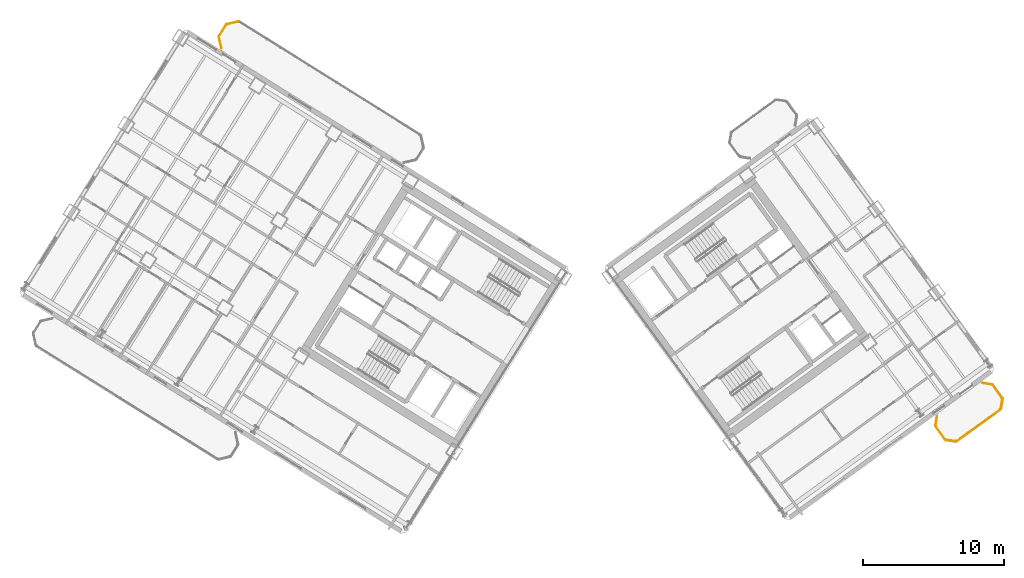
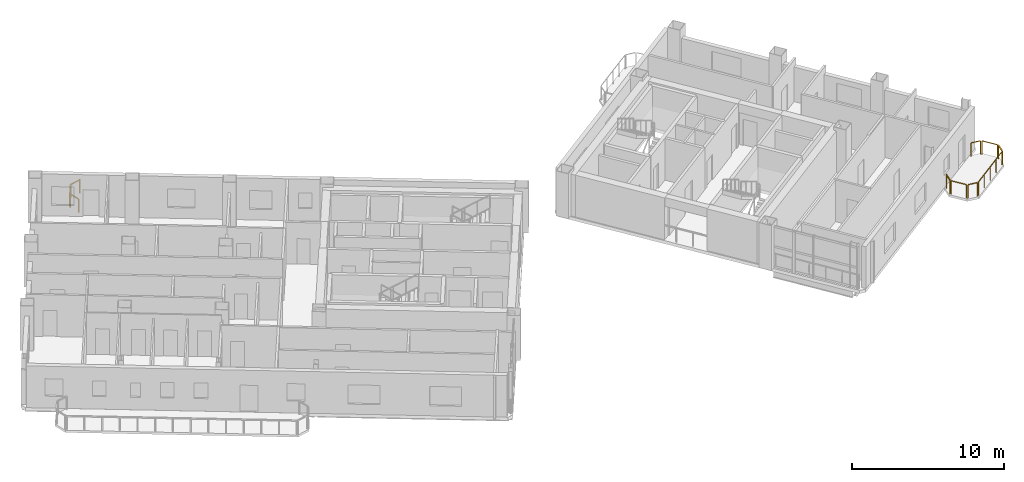
# One storey, part 18 of 18: 10 railings.
"""IFC4 building model written with IfcOpenShell, lengths in metres."""

from ifc_helpers import new_model, si_unit, direction, frame, origin, origin_2d, place, context, subcontext, project, spatial, rectangle, extrude, source, transform, mapped, material, type_object, element, save


model = new_model("IFC4")

# Units and contexts
model_context = context("Model", 3, precision=1e-05, world=origin(), true_north=direction((0.0, 1.0)))
body_context = subcontext(model_context, "Body", "Model", "MODEL_VIEW")
ifc_project = project(units=[si_unit("LENGTHUNIT", "METRE"), si_unit("AREAUNIT", "SQUARE_METRE"), si_unit("VOLUMEUNIT", "CUBIC_METRE"), si_unit("PLANEANGLEUNIT", "RADIAN"), si_unit("MASSUNIT", "GRAM", prefix="KILO")], contexts=[model_context])

# Site, building, storey
site_placement = place(None, origin())
site = spatial("IfcSite", under=ifc_project, at=site_placement, CompositionType="ELEMENT")
building_placement = place(site_placement, origin())
building = spatial("IfcBuilding", under=site, at=building_placement, Name="Tlacorven Tower", CompositionType="ELEMENT")
storey_placement = place(building_placement, frame((0.0, 0.0, 140.699951171875)))
storey = spatial("IfcBuildingStorey", under=building, at=storey_placement, Name="L35", CompositionType="ELEMENT", Elevation=140.699951171875)

# Railings
ifc_material = material(Name="Aluminium and painted steel balustrade", Category="steel")
railing_type = type_object("IfcRailingType", Name="RL-BAL-1100", PredefinedType="BALUSTRADE", material=ifc_material)
shared_shape_1 = source(origin(), body_context, "Body", "SweptSolid", [
    extrude(rectangle(XDim=0.048095703125, YDim=0.048095703125, at=origin_2d()), frame((0.0, 0.0, 1.076171875), z_axis=(-0.225058334816, 0.974345290916, 0.0), x_axis=(-0.974345290916, -0.225058334816, 0.0)), (0.0, 0.0, 1.0), 0.80712890625),
    extrude(rectangle(XDim=0.0419921875, YDim=0.0419921875, at=origin_2d()), origin(), (0.0, 0.0, 1.0), 1.052001953125),
    extrude(rectangle(XDim=0.0419921875, YDim=0.0419921875, at=origin_2d()), frame((-0.181640625, 0.786376953125, 0.0)), (0.0, 0.0, 1.0), 1.052001953125),
])
railing_1_placement = place(storey_placement, frame((16.5361328125, 40.68115234375, 0.0)))
element("IfcRailing", 1, at=railing_1_placement, inside=storey, type_object=railing_type, Name="BAL-L35-W-IN Guard Railing 4", PredefinedType="BALUSTRADE", context=body_context, shape_type="MappedRepresentation", body=[
    mapped(shared_shape_1, transform((0.0, 0.0, 0.0), scale=1.0)),
])
shared_shape_2 = source(origin(), body_context, "Body", "SweptSolid", [
    extrude(rectangle(XDim=0.048095703125, YDim=0.048095703125, at=origin_2d()), frame((0.0, 0.0, 1.076171875), z_axis=(0.52987865805, 0.848073468364, 0.0), x_axis=(-0.848073468364, 0.52987865805, 0.0)), (0.0, 0.0, 1.0), 0.912353515625),
    extrude(rectangle(XDim=0.0419921875, YDim=0.0419921875, at=origin_2d()), origin(), (0.0, 0.0, 1.0), 1.052001953125),
    extrude(rectangle(XDim=0.0419921875, YDim=0.0419921875, at=origin_2d()), frame((0.4833984375, 0.773681640625, 0.0)), (0.0, 0.0, 1.0), 1.052001953125),
])
railing_2_placement = place(storey_placement, frame((16.369873046875, 41.55859375, 0.0)))
element("IfcRailing", 2, at=railing_2_placement, inside=storey, type_object=railing_type, Name="BAL-L35-W-IN Guard Railing 5", PredefinedType="BALUSTRADE", context=body_context, shape_type="MappedRepresentation", body=[
    mapped(shared_shape_2, transform((0.0, 0.0, 0.0), scale=1.0)),
])
shared_shape_3 = source(origin(), body_context, "Body", "SweptSolid", [
    extrude(rectangle(XDim=0.048095703125, YDim=0.048095703125, at=origin_2d()), frame((0.0, 0.0, 1.076171875), z_axis=(0.974411586182, 0.224771129628, 0.0), x_axis=(-0.224771129628, 0.974411586182, 0.0)), (0.0, 0.0, 1.0), 0.80712890625),
    extrude(rectangle(XDim=0.0419921875, YDim=0.0419921875, at=origin_2d()), origin(), (0.0, 0.0, 1.0), 1.052001953125),
    extrude(rectangle(XDim=0.0419921875, YDim=0.0419921875, at=origin_2d()), frame((0.786376953125, 0.181396484375, 0.0)), (0.0, 0.0, 1.0), 1.052001953125),
])
railing_3_placement = place(storey_placement, frame((16.928466796875, 42.385986328125, 0.0)))
element("IfcRailing", 3, at=railing_3_placement, inside=storey, type_object=railing_type, Name="BAL-L35-W-IN Guard Railing 6", PredefinedType="BALUSTRADE", context=body_context, shape_type="MappedRepresentation", body=[
    mapped(shared_shape_3, transform((0.0, 0.0, 0.0), scale=1.0)),
])
shared_shape_4 = source(origin(), body_context, "Body", "SweptSolid", [
    extrude(rectangle(XDim=0.048095703125, YDim=0.048095703125, at=origin_2d()), frame((0.0, 0.0, 1.076171875), z_axis=(-0.987661653326, 0.156602868908, 0.0), x_axis=(-0.156602868908, -0.987661653326, 0.0)), (0.0, 0.0, 1.0), 0.665771484375),
    extrude(rectangle(XDim=0.0419921875, YDim=0.0419921875, at=origin_2d()), origin(), (0.0, 0.0, 1.0), 1.052001953125),
    extrude(rectangle(XDim=0.0419921875, YDim=0.0419921875, at=origin_2d()), frame((-0.657470703125, 0.104248046875, 0.0)), (0.0, 0.0, 1.0), 1.052001953125),
])
railing_4_placement = place(storey_placement, frame((68.59521484375, 12.7919921875, 0.0)))
element("IfcRailing", 4, at=railing_4_placement, inside=storey, type_object=railing_type, Name="BAL-L35-E-OUT Guard Railing 1", PredefinedType="BALUSTRADE", context=body_context, shape_type="MappedRepresentation", body=[
    mapped(shared_shape_4, transform((0.0, 0.0, 0.0), scale=1.0)),
])
shared_shape_5 = source(origin(), body_context, "Body", "SweptSolid", [
    extrude(rectangle(XDim=0.048095703125, YDim=0.048095703125, at=origin_2d()), frame((0.0, 0.0, 1.076171875), z_axis=(-0.58788449985, 0.808944877501, 0.0), x_axis=(-0.808944877501, -0.58788449985, 0.0)), (0.0, 0.0, 1.0), 1.112060546875),
    extrude(rectangle(XDim=0.0419921875, YDim=0.0419921875, at=origin_2d()), origin(), (0.0, 0.0, 1.0), 1.052001953125),
    extrude(rectangle(XDim=0.0419921875, YDim=0.0419921875, at=origin_2d()), frame((-0.65380859375, 0.899658203125, 0.0)), (0.0, 0.0, 1.0), 1.052001953125),
])
railing_5_placement = place(storey_placement, frame((67.85888671875, 12.944580078125, 0.0)))
element("IfcRailing", 5, at=railing_5_placement, inside=storey, type_object=railing_type, Name="BAL-L35-E-OUT Guard Railing 2", PredefinedType="BALUSTRADE", context=body_context, shape_type="MappedRepresentation", body=[
    mapped(shared_shape_5, transform((0.0, 0.0, 0.0), scale=1.0)),
])
shared_shape_6 = source(origin(), body_context, "Body", "SweptSolid", [
    extrude(rectangle(XDim=0.048095703125, YDim=0.048095703125, at=origin_2d()), frame((0.0, 0.0, 1.076171875), z_axis=(0.156602868908, 0.987661653326, 0.0), x_axis=(-0.987661653326, 0.156602868908, 0.0)), (0.0, 0.0, 1.0), 0.665771484375),
    extrude(rectangle(XDim=0.0419921875, YDim=0.0419921875, at=origin_2d()), origin(), (0.0, 0.0, 1.0), 1.052001953125),
    extrude(rectangle(XDim=0.0419921875, YDim=0.0419921875, at=origin_2d()), frame((0.104248046875, 0.657470703125, 0.0)), (0.0, 0.0, 1.0), 1.052001953125),
])
railing_6_placement = place(storey_placement, frame((67.18359375, 13.93408203125, 0.0)))
element("IfcRailing", 6, at=railing_6_placement, inside=storey, type_object=railing_type, Name="BAL-L35-E-OUT Guard Railing 3", PredefinedType="BALUSTRADE", context=body_context, shape_type="MappedRepresentation", body=[
    mapped(shared_shape_6, transform((0.0, 0.0, 0.0), scale=1.0)),
])
shared_shape_7 = source(origin(), body_context, "Body", "SweptSolid", [
    extrude(rectangle(XDim=0.048095703125, YDim=0.048095703125, at=origin_2d()), frame((0.0, 0.0, 1.076171875), z_axis=(0.987718317463, -0.156245081039, 0.0), x_axis=(0.156245081039, 0.987718317463, 0.0)), (0.0, 0.0, 1.0), 0.66552734375),
    extrude(rectangle(XDim=0.0419921875, YDim=0.0419921875, at=origin_2d()), origin(), (0.0, 0.0, 1.0), 1.052001953125),
    extrude(rectangle(XDim=0.0419921875, YDim=0.0419921875, at=origin_2d()), frame((0.657470703125, -0.10400390625, 0.0)), (0.0, 0.0, 1.0), 1.052001953125),
])
railing_7_placement = place(storey_placement, frame((70.513916015625, 16.935546875, 0.0)))
element("IfcRailing", 7, at=railing_7_placement, inside=storey, type_object=railing_type, Name="BAL-L35-E-OUT Guard Railing 4", PredefinedType="BALUSTRADE", context=body_context, shape_type="MappedRepresentation", body=[
    mapped(shared_shape_7, transform((0.0, 0.0, 0.0), scale=1.0)),
])
shared_shape_8 = source(origin(), body_context, "Body", "SweptSolid", [
    extrude(rectangle(XDim=0.048095703125, YDim=0.048095703125, at=origin_2d()), frame((0.0, 0.0, 1.076171875), z_axis=(0.58788449985, -0.808944877501, 0.0), x_axis=(0.808944877501, 0.58788449985, 0.0)), (0.0, 0.0, 1.0), 1.112060546875),
    extrude(rectangle(XDim=0.0419921875, YDim=0.0419921875, at=origin_2d()), origin(), (0.0, 0.0, 1.0), 1.052001953125),
    extrude(rectangle(XDim=0.0419921875, YDim=0.0419921875, at=origin_2d()), frame((0.65380859375, -0.899658203125, 0.0)), (0.0, 0.0, 1.0), 1.052001953125),
])
railing_8_placement = place(storey_placement, frame((71.250244140625, 16.783203125, 0.0)))
element("IfcRailing", 8, at=railing_8_placement, inside=storey, type_object=railing_type, Name="BAL-L35-E-OUT Guard Railing 5", PredefinedType="BALUSTRADE", context=body_context, shape_type="MappedRepresentation", body=[
    mapped(shared_shape_8, transform((0.0, 0.0, 0.0), scale=1.0)),
])
shared_shape_9 = source(origin(), body_context, "Body", "SweptSolid", [
    extrude(rectangle(XDim=0.048095703125, YDim=0.048095703125, at=origin_2d()), frame((0.0, 0.0, 1.076171875), z_axis=(-0.156188498702, -0.987727266442, 0.0), x_axis=(0.987727266442, -0.156188498702, 0.0)), (0.0, 0.0, 1.0), 0.665771484375),
    extrude(rectangle(XDim=0.0419921875, YDim=0.0419921875, at=origin_2d()), origin(), (0.0, 0.0, 1.0), 1.052001953125),
    extrude(rectangle(XDim=0.0419921875, YDim=0.0419921875, at=origin_2d()), frame((-0.10400390625, -0.65771484375, 0.0)), (0.0, 0.0, 1.0), 1.052001953125),
])
railing_9_placement = place(storey_placement, frame((71.925537109375, 15.793701171875, 0.0)))
element("IfcRailing", 9, at=railing_9_placement, inside=storey, type_object=railing_type, Name="BAL-L35-E-OUT Guard Railing 6", PredefinedType="BALUSTRADE", context=body_context, shape_type="MappedRepresentation", body=[
    mapped(shared_shape_9, transform((0.0, 0.0, 0.0), scale=1.0)),
])
shared_shape_10 = source(origin(), body_context, "Body", "SweptSolid", [
    extrude(rectangle(XDim=0.048095703125, YDim=0.048095703125, at=origin_2d()), frame((0.0, 0.0, 1.076171875), z_axis=(-0.809018102573, -0.587783726986, 0.0), x_axis=(0.587783726986, -0.809018102573, 0.0)), (0.0, 0.0, 1.0), 3.817138671875),
    extrude(rectangle(XDim=0.0419921875, YDim=0.0419921875, at=origin_2d()), origin(), (0.0, 0.0, 1.0), 1.052001953125),
    extrude(rectangle(XDim=0.0419921875, YDim=0.0419921875, at=origin_2d()), frame((-0.77197265625, -0.56103515625, 0.0)), (0.0, 0.0, 1.0), 1.052001953125),
    extrude(rectangle(XDim=0.0419921875, YDim=0.0419921875, at=origin_2d()), frame((-1.5439453125, -1.121826171875, 0.0)), (0.0, 0.0, 1.0), 1.052001953125),
    extrude(rectangle(XDim=0.0419921875, YDim=0.0419921875, at=origin_2d()), frame((-2.316162109375, -1.6826171875, 0.0)), (0.0, 0.0, 1.0), 1.052001953125),
    extrude(rectangle(XDim=0.0419921875, YDim=0.0419921875, at=origin_2d()), frame((-3.088134765625, -2.24365234375, 0.0)), (0.0, 0.0, 1.0), 1.052001953125),
])
railing_10_placement = place(storey_placement, frame((71.773193359375, 15.057373046875, 0.0)))
element("IfcRailing", 10, at=railing_10_placement, inside=storey, type_object=railing_type, Name="BAL-L35-E-OUT Guard Railing 7", PredefinedType="BALUSTRADE", context=body_context, shape_type="MappedRepresentation", body=[
    mapped(shared_shape_10, transform((0.0, 0.0, 0.0), scale=1.0)),
])

save(model, "model.ifc")
